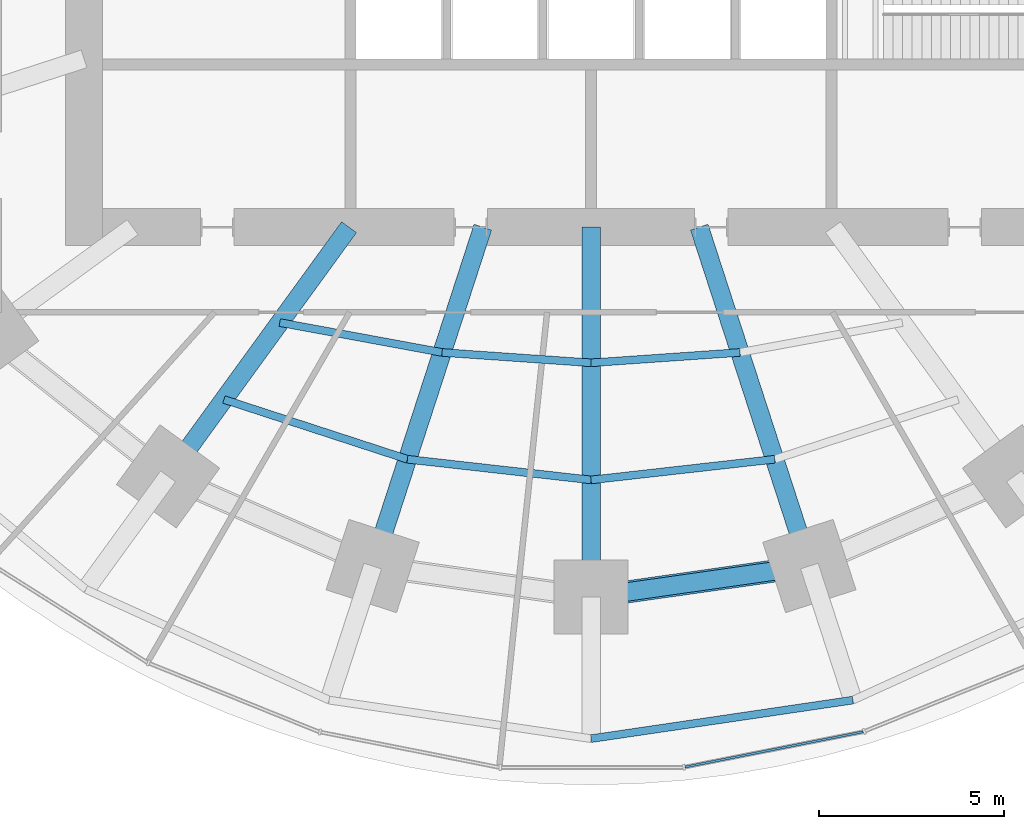
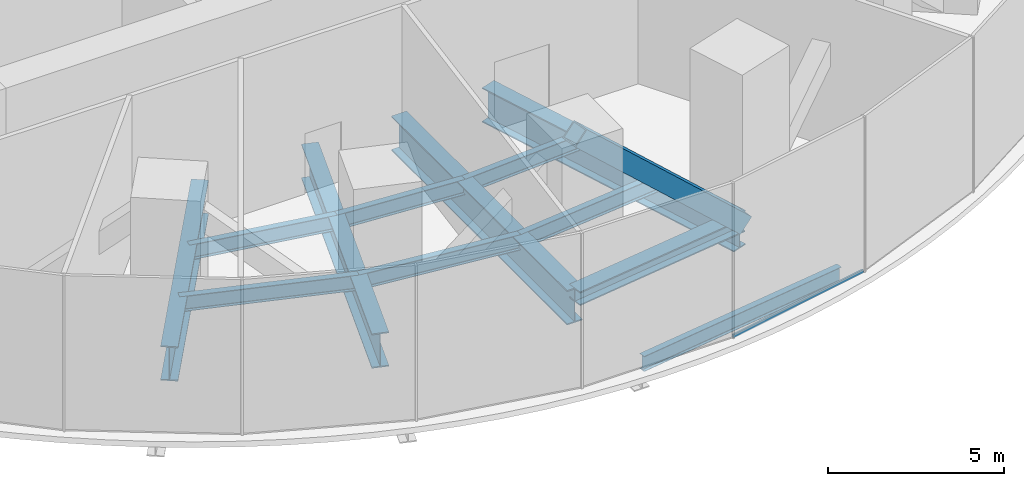
# One storey, part 3 of 13: 11 beams, 3 members, 1 element without a shape of its own.
"""IFC4 building model written with IfcOpenShell, lengths in metres."""

from ifc_helpers import new_model, si_unit, direction, frame, origin, origin_2d, place, context, subcontext, project, spatial, rectangle, hollow_rectangle, i_section, extrude, material, material_profile, profile_set, type_object, element, aggregate, save


model = new_model("IFC4")

# Units and contexts
model_context = context("Model", 3, precision=1e-05, world=origin(), true_north=direction((0.0, 1.0)))
body_context = subcontext(model_context, "Body", "Model", "MODEL_VIEW")
ifc_project = project(units=[si_unit("LENGTHUNIT", "METRE"), si_unit("AREAUNIT", "SQUARE_METRE"), si_unit("VOLUMEUNIT", "CUBIC_METRE"), si_unit("PLANEANGLEUNIT", "RADIAN"), si_unit("MASSUNIT", "GRAM", prefix="KILO")], contexts=[model_context])

# Site, building, storey
site_placement = place(None, origin())
site = spatial("IfcSite", under=ifc_project, at=site_placement, CompositionType="ELEMENT")
building_placement = place(site_placement, origin())
building = spatial("IfcBuilding", under=site, at=building_placement, Name="Marramba Exchange Tower", CompositionType="ELEMENT")
storey_placement = place(building_placement, frame((0.0, 0.0, 86.800048828125)))
storey = spatial("IfcBuildingStorey", under=building, at=storey_placement, Name="L20", CompositionType="ELEMENT", Elevation=86.800048828125)

# Members
ifc_material_1 = material(Name="Steel AS/NZS 3679.2 grade 300", Category="steel")
ifc_material_profile_1 = material_profile(ifc_material_1, i_section(OverallWidth=0.5, OverallDepth=0.47998046875, WebThickness=0.0400390625, FlangeThickness=0.0400390625, at=origin_2d()), Name="500WC440")
ifc_profile_set_1 = profile_set([ifc_material_profile_1], Name="Steel AS/NZS 3679.2 grade 300")
member_type_1 = type_object("IfcMemberType", Name="Belt truss chord 500WC440", PredefinedType="CHORD", material=ifc_profile_set_1)
member_1_placement = place(storey_placement, frame((0.0, -18.99609375, -0.43994140625), z_axis=(0.990036163016, 0.140813337152, 0.0), x_axis=(-0.140813337152, 0.990036163016, 0.0)))
element("IfcMember", 1, at=member_1_placement, inside=storey, type_object=member_type_1, Name="Belt chord L20 TC16-TC17", PredefinedType="CHORD", context=body_context, shape_type="SweptSolid", body=[
    extrude(i_section(OverallWidth=0.5, OverallDepth=0.47998046875, WebThickness=0.0400390625, FlangeThickness=0.0400390625, at=origin_2d()), origin(), (0.0, 0.0, 1.0), 5.958984375),
])
ifc_material_2 = material(Name="Steel AS/NZS 3678 grade 350", Category="steel")
ifc_material_profile_2 = material_profile(ifc_material_2, hollow_rectangle(XDim=0.60009765625, YDim=0.60009765625, WallThickness=0.0400390625, at=origin_2d()), Name="600x600x40BOX")
ifc_profile_set_2 = profile_set([ifc_material_profile_2], Name="Steel AS/NZS 3678 grade 350")
member_type_2 = type_object("IfcMemberType", Name="Belt truss diagonal 600x600x40BOX", PredefinedType="BRACE", material=ifc_profile_set_2)
member_2_placement = place(storey_placement, frame((0.0, -18.99609375, 5.159912109375), z_axis=(0.721466673774, 0.102614564774, -0.684803687), x_axis=(-0.140813337152, 0.990036163016, 0.0)))
element("IfcMember", 2, at=member_2_placement, inside=storey, type_object=member_type_2, Name="Belt truss BT20 diagonal 16", PredefinedType="BRACE", context=body_context, shape_type="SweptSolid", body=[
    extrude(hollow_rectangle(XDim=0.60009765625, YDim=0.60009765625, WallThickness=0.0400390625, at=origin_2d()), origin(), (0.0, 0.0, 1.0), 8.17724609375),
])

# Beams
ifc_material_3 = material(Name="Steel AS/NZS 3679.1 grade 300", Category="steel")
ifc_material_profile_3 = material_profile(ifc_material_3, i_section(OverallWidth=0.208984375, OverallDepth=0.532958984375, WebThickness=0.01025390625, FlangeThickness=0.015625, FilletRadius=0.013916015625, at=origin_2d()), Name="530UB92.4")
ifc_profile_set_3 = profile_set([ifc_material_profile_3], Name="Steel AS/NZS 3679.1 grade 300")
beam_type_1 = type_object("IfcBeamType", Name="Floor joist 530UB92.4", PredefinedType="JOIST", material=ifc_profile_set_3)
beam_1_placement = place(storey_placement, frame((-8.41162109375, -11.57763671875, -0.466552734375), z_axis=(0.983455754421, -0.181148500119, 0.0), x_axis=(0.181148500119, 0.983455754421, 0.0)))
element("IfcBeam", 3, at=beam_1_placement, inside=storey, type_object=beam_type_1, Name="Joist L20 bay 14 row 1", PredefinedType="JOIST", context=body_context, shape_type="SweptSolid", body=[
    extrude(i_section(OverallWidth=0.208984375, OverallDepth=0.532958984375, WebThickness=0.01025390625, FlangeThickness=0.015625, FilletRadius=0.013916015625, at=origin_2d()), origin(), (0.0, 0.0, 1.0), 4.4609375),
])
beam_2_placement = place(storey_placement, frame((-9.9208984375, -13.655029296875, -0.466552734375), z_axis=(0.950764024931, -0.309915744834, 0.0), x_axis=(0.309915744834, 0.950764024931, 0.0)))
element("IfcBeam", 4, at=beam_2_placement, inside=storey, type_object=beam_type_1, Name="Joist L20 bay 14 row 2", PredefinedType="JOIST", context=body_context, shape_type="SweptSolid", body=[
    extrude(i_section(OverallWidth=0.208984375, OverallDepth=0.532958984375, WebThickness=0.01025390625, FlangeThickness=0.015625, FilletRadius=0.013916015625, at=origin_2d()), origin(), (0.0, 0.0, 1.0), 5.2158203125),
])
beam_3_placement = place(storey_placement, frame((-4.0244140625, -12.3857421875, -0.466552734375), z_axis=(0.99759625901, -0.069294328838, 0.0), x_axis=(0.069294328838, 0.99759625901, 0.0)))
element("IfcBeam", 5, at=beam_3_placement, inside=storey, type_object=beam_type_1, Name="Joist L20 bay 15 row 1", PredefinedType="JOIST", context=body_context, shape_type="SweptSolid", body=[
    extrude(i_section(OverallWidth=0.208984375, OverallDepth=0.532958984375, WebThickness=0.01025390625, FlangeThickness=0.015625, FilletRadius=0.013916015625, at=origin_2d()), origin(), (0.0, 0.0, 1.0), 4.0341796875),
])
beam_4_placement = place(storey_placement, frame((-4.9619140625, -15.271484375, -0.466552734375), z_axis=(0.993712018573, -0.111966174106, 0.0), x_axis=(0.111966174106, 0.993712018573, 0.0)))
element("IfcBeam", 6, at=beam_4_placement, inside=storey, type_object=beam_type_1, Name="Joist L20 bay 15 row 2", PredefinedType="JOIST", context=body_context, shape_type="SweptSolid", body=[
    extrude(i_section(OverallWidth=0.208984375, OverallDepth=0.532958984375, WebThickness=0.01025390625, FlangeThickness=0.015625, FilletRadius=0.013916015625, at=origin_2d()), origin(), (0.0, 0.0, 1.0), 4.993408203125),
])
beam_5_placement = place(storey_placement, frame((0.0, -12.665283203125, -0.466552734375), z_axis=(0.99759625901, 0.069294328838, 0.0), x_axis=(-0.069294328838, 0.99759625901, 0.0)))
element("IfcBeam", 7, at=beam_5_placement, inside=storey, type_object=beam_type_1, Name="Joist L20 bay 16 row 1", PredefinedType="JOIST", context=body_context, shape_type="SweptSolid", body=[
    extrude(i_section(OverallWidth=0.208984375, OverallDepth=0.532958984375, WebThickness=0.01025390625, FlangeThickness=0.015625, FilletRadius=0.013916015625, at=origin_2d()), origin(), (0.0, 0.0, 1.0), 4.0341796875),
])
beam_6_placement = place(storey_placement, frame((0.0, -15.83056640625, -0.466552734375), z_axis=(0.993712018573, 0.111966174106, 0.0), x_axis=(-0.111966174106, 0.993712018573, 0.0)))
element("IfcBeam", 8, at=beam_6_placement, inside=storey, type_object=beam_type_1, Name="Joist L20 bay 16 row 2", PredefinedType="JOIST", context=body_context, shape_type="SweptSolid", body=[
    extrude(i_section(OverallWidth=0.208984375, OverallDepth=0.532958984375, WebThickness=0.01025390625, FlangeThickness=0.015625, FilletRadius=0.013916015625, at=origin_2d()), origin(), (0.0, 0.0, 1.0), 4.993408203125),
])

# Curtain wall, member
ifc_material_4 = material(Name="Aluminium framing, bronze anodised", Category="aluminium")
curtain_wall_type = type_object("IfcCurtainWallType", Name="Plant floor louvred curtain wall", PredefinedType="USERDEFINED", material=ifc_material_4)
curtain_wall_placement = place(storey_placement, origin())
curtain_wall = element("IfcCurtainWall", 9, at=curtain_wall_placement, inside=storey, type_object=curtain_wall_type, Name="Curtain wall CW6 L20 F21-F25", ObjectType="RIBBON CURTAIN WALL", PredefinedType="USERDEFINED")
ifc_material_5 = material(Name="Aluminium transom, bronze anodised", Category="aluminium")
ifc_material_profile_4 = material_profile(ifc_material_5, rectangle(XDim=0.06005859375, YDim=0.1201171875, at=origin_2d()), Name="CW6 transom 60x120")
ifc_profile_set_4 = profile_set([ifc_material_profile_4], Name="Aluminium transom, bronze anodised")
member_type_3 = type_object("IfcMemberType", Name="Plant floor louvred curtain wall transom", PredefinedType="USERDEFINED", material=ifc_profile_set_4)
member_3_placement = place(storey_placement, frame((2.539306640625, -23.58837890625, 0.030029296875), z_axis=(0.981008707181, 0.193963698758, 0.0), x_axis=(-0.193963698758, 0.981008707181, 0.0)))
member_3 = element("IfcMember", 10, at=member_3_placement, type_object=member_type_3, Name="CW6 sill transom", ObjectType="TRANSOM", PredefinedType="USERDEFINED", context=body_context, shape_type="SweptSolid", body=[
    extrude(rectangle(XDim=0.06005859375, YDim=0.1201171875, at=origin_2d()), origin(), (0.0, 0.0, 1.0), 4.908935546875),
])
aggregate(curtain_wall, [member_3])

# Beams
ifc_material_profile_5 = material_profile(ifc_material_1, i_section(OverallWidth=0.5, OverallDepth=1.199951171875, WebThickness=0.01611328125, FlangeThickness=0.0400390625, at=origin_2d()), Name="1200WB455")
ifc_profile_set_5 = profile_set([ifc_material_profile_5], Name="Steel AS/NZS 3679.2 grade 300")
beam_type_2 = type_object("IfcBeamType", Name="Radial girder 1200WB455", PredefinedType="BEAM", material=ifc_profile_set_5)
beam_7_placement = place(storey_placement, frame((-6.538818359375, -9.0, -0.800048828125), z_axis=(-0.587787877172, -0.809015087282, 0.0), x_axis=(0.809015087282, -0.587787877172, 0.0)))
element("IfcBeam", 11, at=beam_7_placement, inside=storey, type_object=beam_type_2, Name="Radial girder L20 TC14", PredefinedType="BEAM", context=body_context, shape_type="SweptSolid", body=[
    extrude(i_section(OverallWidth=0.5, OverallDepth=1.199951171875, WebThickness=0.01611328125, FlangeThickness=0.0400390625, at=origin_2d()), origin(), (0.0, 0.0, 1.0), 8.322021484375),
])
beam_8_placement = place(storey_placement, frame((-2.92431640625, -9.0, -0.800048828125), z_axis=(-0.309022428985, -0.951054750466, 0.0), x_axis=(0.951054750466, -0.309022428985, 0.0)))
element("IfcBeam", 12, at=beam_8_placement, inside=storey, type_object=beam_type_2, Name="Radial girder L20 TC15", PredefinedType="BEAM", context=body_context, shape_type="SweptSolid", body=[
    extrude(i_section(OverallWidth=0.5, OverallDepth=1.199951171875, WebThickness=0.01611328125, FlangeThickness=0.0400390625, at=origin_2d()), origin(), (0.0, 0.0, 1.0), 9.628173828125),
])
beam_9_placement = place(storey_placement, frame((0.0, -9.0, -0.800048828125), z_axis=(0.0, -1.0, 0.0), x_axis=(1.0, 0.0, 0.0)))
element("IfcBeam", 13, at=beam_9_placement, inside=storey, type_object=beam_type_2, Name="Radial girder L20 TC16", PredefinedType="BEAM", context=body_context, shape_type="SweptSolid", body=[
    extrude(i_section(OverallWidth=0.5, OverallDepth=1.199951171875, WebThickness=0.01611328125, FlangeThickness=0.0400390625, at=origin_2d()), origin(), (0.0, 0.0, 1.0), 9.99609375),
])
beam_10_placement = place(storey_placement, frame((2.92431640625, -9.0, -0.800048828125), z_axis=(0.309022428985, -0.951054750466, 0.0), x_axis=(0.951054750466, 0.309022428985, 0.0)))
element("IfcBeam", 14, at=beam_10_placement, inside=storey, type_object=beam_type_2, Name="Radial girder L20 TC17", PredefinedType="BEAM", context=body_context, shape_type="SweptSolid", body=[
    extrude(i_section(OverallWidth=0.5, OverallDepth=1.199951171875, WebThickness=0.01611328125, FlangeThickness=0.0400390625, at=origin_2d()), origin(), (0.0, 0.0, 1.0), 9.628173828125),
])
ifc_material_profile_6 = material_profile(ifc_material_3, i_section(OverallWidth=0.208984375, OverallDepth=0.528076171875, WebThickness=0.009521484375, FlangeThickness=0.01318359375, FilletRadius=0.013916015625, at=origin_2d()), Name="530UB82.0")
ifc_profile_set_6 = profile_set([ifc_material_profile_6], Name="Steel AS/NZS 3679.1 grade 300")
beam_type_3 = type_object("IfcBeamType", Name="Slab edge beam 530UB82.0", PredefinedType="SPANDREL", material=ifc_profile_set_6)
beam_11_placement = place(storey_placement, frame((0.0, -22.822021484375, -0.464111328125), z_axis=(0.989338462178, 0.145634498848, 0.0), x_axis=(-0.145634498848, 0.989338462178, 0.0)))
element("IfcBeam", 15, at=beam_11_placement, inside=storey, type_object=beam_type_3, Name="Slab edge beam L20 TC16-TC17", PredefinedType="SPANDREL", context=body_context, shape_type="SweptSolid", body=[
    extrude(i_section(OverallWidth=0.208984375, OverallDepth=0.528076171875, WebThickness=0.009521484375, FlangeThickness=0.01318359375, FilletRadius=0.013916015625, at=origin_2d()), origin(), (0.0, 0.0, 1.0), 7.153076171875),
])

save(model, "model.ifc")
